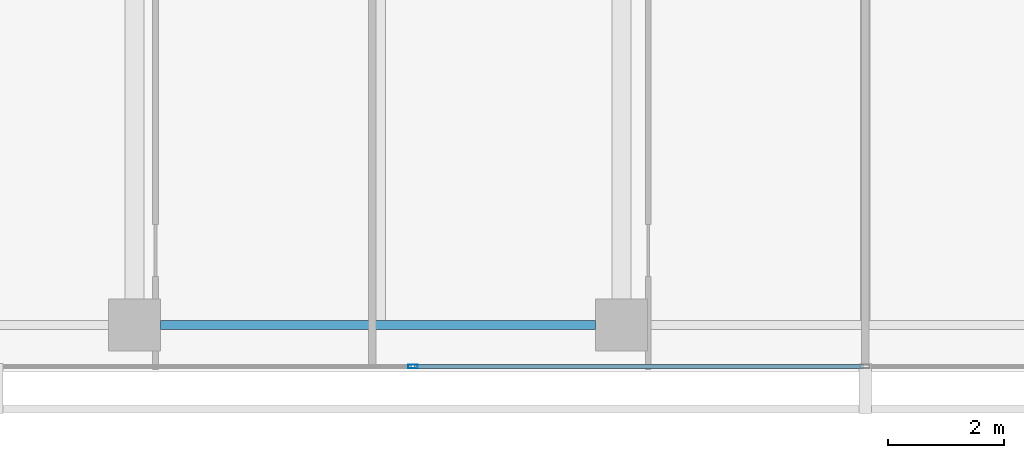
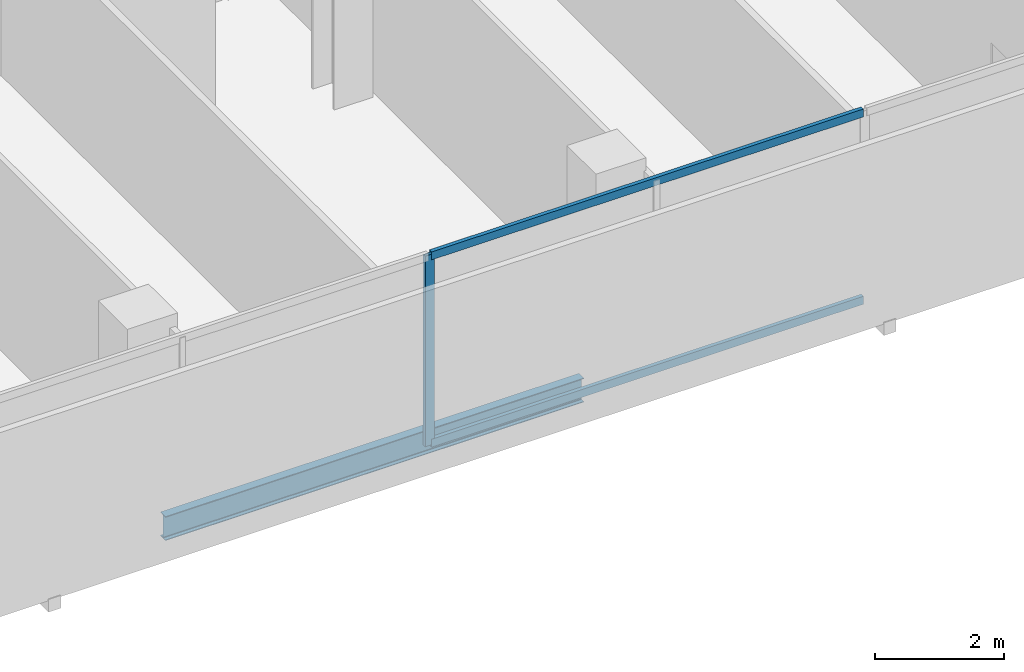
# One storey, part 7 of 40: 3 members, 1 beam, 1 element without a shape of its own.
"""IFC4 building model written with IfcOpenShell, lengths in metres."""

from ifc_helpers import new_model, si_unit, direction, frame, origin, origin_2d, place, context, subcontext, project, spatial, hollow_rectangle, i_section, extrude, material, layer, layer_set, material_profile, profile_set, type_object, element, aggregate, save


model = new_model("IFC4")

# Units and contexts
model_context = context("Model", 3, precision=1e-05, world=origin(), true_north=direction((0.0, 1.0)))
body_context = subcontext(model_context, "Body", "Model", "MODEL_VIEW")
ifc_project = project(units=[si_unit("LENGTHUNIT", "METRE"), si_unit("AREAUNIT", "SQUARE_METRE"), si_unit("VOLUMEUNIT", "CUBIC_METRE"), si_unit("PLANEANGLEUNIT", "RADIAN"), si_unit("MASSUNIT", "GRAM", prefix="KILO")], contexts=[model_context])

# Site, building, storey
site_placement = place(None, origin())
site = spatial("IfcSite", under=ifc_project, at=site_placement, CompositionType="ELEMENT")
building_placement = place(site_placement, origin())
building = spatial("IfcBuilding", under=site, at=building_placement, Name="Maruvema Waterfront Hotel and Observation Tower", CompositionType="ELEMENT")
storey_placement = place(building_placement, frame((0.0, 0.0, 96.25)))
storey = spatial("IfcBuildingStorey", under=building, at=storey_placement, Name="L23", CompositionType="ELEMENT", Elevation=96.25)

# Curtain wall, members
ifc_material_1 = material(Name="Anodised bronze aluminium and solar-control low-E IGU", Category="aluminium")
ifc_layer = layer(ifc_material_1, 0.159912109375, Name="Zone 1 Bronze Inner Thermal Curtain Wall System CW-02")
ifc_layer_set = layer_set([ifc_layer], Name="Anodised bronze aluminium and solar-control low-E IGU")
curtain_wall_type = type_object("IfcCurtainWallType", Name="Zone 1 Bronze Inner Thermal Curtain Wall System CW-02", PredefinedType="USERDEFINED", material=ifc_layer_set)
curtain_wall_placement = place(storey_placement, origin())
curtain_wall = element("IfcCurtainWall", 1, at=curtain_wall_placement, inside=storey, type_object=curtain_wall_type, Name="L23 Curtain Wall CW-L23-S", ObjectType="UNITISED CURTAIN WALL", PredefinedType="USERDEFINED")
ifc_material_2 = material(Name="Anodised architectural bronze aluminium", Category="aluminium")
ifc_material_profile_1 = material_profile(ifc_material_2, hollow_rectangle(XDim=0.070068359375, YDim=0.14990234375, WallThickness=0.00390625, at=origin_2d()), Name="ALU-T70x150")
ifc_profile_set_1 = profile_set([ifc_material_profile_1], Name="Anodised architectural bronze aluminium")
member_type_1 = type_object("IfcMemberType", Name="Curtain Wall Horizontal Transom ALU-T70x150", PredefinedType="USERDEFINED", material=ifc_profile_set_1)
member_1_placement = place(storey_placement, frame((30.030029296875, 0.080078125, 0.030029296875), z_axis=(1.0, 0.0, 0.0), x_axis=(0.0, 1.0, 0.0)))
member_1 = element("IfcMember", 2, at=member_1_placement, type_object=member_type_1, Name="CW-02 transom 3.1", ObjectType="TRANSOM", PredefinedType="USERDEFINED", context=body_context, shape_type="SweptSolid", body=[
    extrude(hollow_rectangle(XDim=0.070068359375, YDim=0.14990234375, WallThickness=0.00390625, at=origin_2d()), origin(), (0.0, 0.0, 1.0), 7.739990234375),
])
member_2_placement = place(storey_placement, frame((30.030029296875, 0.080078125, 3.580078125), z_axis=(1.0, 0.0, 0.0), x_axis=(0.0, 1.0, 0.0)))
member_2 = element("IfcMember", 3, at=member_2_placement, type_object=member_type_1, Name="CW-02 transom 3.2", ObjectType="TRANSOM", PredefinedType="USERDEFINED", context=body_context, shape_type="SweptSolid", body=[
    extrude(hollow_rectangle(XDim=0.070068359375, YDim=0.14990234375, WallThickness=0.00390625, at=origin_2d()), origin(), (0.0, 0.0, 1.0), 7.739990234375),
])
ifc_material_3 = material(Name="Anodised architectural bronze aluminium", Category="aluminium")
ifc_material_profile_2 = material_profile(ifc_material_3, hollow_rectangle(XDim=0.06494140625, YDim=0.1650390625, WallThickness=0.00390625, at=origin_2d()), Name="ALU-M65x165")
ifc_profile_set_2 = profile_set([ifc_material_profile_2], Name="Anodised architectural bronze aluminium")
member_type_2 = type_object("IfcMemberType", Name="Curtain Wall Primary Mullion ALU-M65x165", PredefinedType="MULLION", material=ifc_profile_set_2)
member_3_placement = place(storey_placement, frame((30.0, 0.080078125, 0.0), z_axis=(0.0, 0.0, 1.0), x_axis=(0.0, 1.0, 0.0)))
member_3 = element("IfcMember", 4, at=member_3_placement, type_object=member_type_2, Name="CW-02 mullion 3", PredefinedType="MULLION", context=body_context, shape_type="SweptSolid", body=[
    extrude(hollow_rectangle(XDim=0.06494140625, YDim=0.1650390625, WallThickness=0.00390625, at=origin_2d()), origin(), (0.0, 0.0, 1.0), 3.610107421875),
])
aggregate(curtain_wall, [member_3, member_1, member_2])

# Beam
ifc_material_4 = material(Name="Steel ASTM A572 Grade 50", Category="steel")
ifc_material_profile_3 = material_profile(ifc_material_4, i_section(OverallWidth=0.153076171875, OverallDepth=0.455078125, WebThickness=0.008056640625, FlangeThickness=0.01318359375, FilletRadius=0.014892578125, at=origin_2d()), Name="W460x60.0")
ifc_profile_set_3 = profile_set([ifc_material_profile_3], Name="Steel ASTM A572 Grade 50")
beam_type = type_object("IfcBeamType", Name="Perimeter Spandrel Beam W460x60.0", PredefinedType="SPANDREL", material=ifc_profile_set_3)
beam_placement = place(storey_placement, frame((25.64990234375, 0.800048828125, -0.467529296875), z_axis=(1.0, 0.0, 0.0), x_axis=(0.0, 1.0, 0.0)))
element("IfcBeam", 5, at=beam_placement, inside=storey, type_object=beam_type, Name="L23 Floor Girder EW-02", PredefinedType="SPANDREL", context=body_context, shape_type="SweptSolid", body=[
    extrude(i_section(OverallWidth=0.153076171875, OverallDepth=0.455078125, WebThickness=0.008056640625, FlangeThickness=0.01318359375, FilletRadius=0.014892578125, at=origin_2d()), origin(), (0.0, 0.0, 1.0), 7.5),
])

save(model, "model.ifc")
